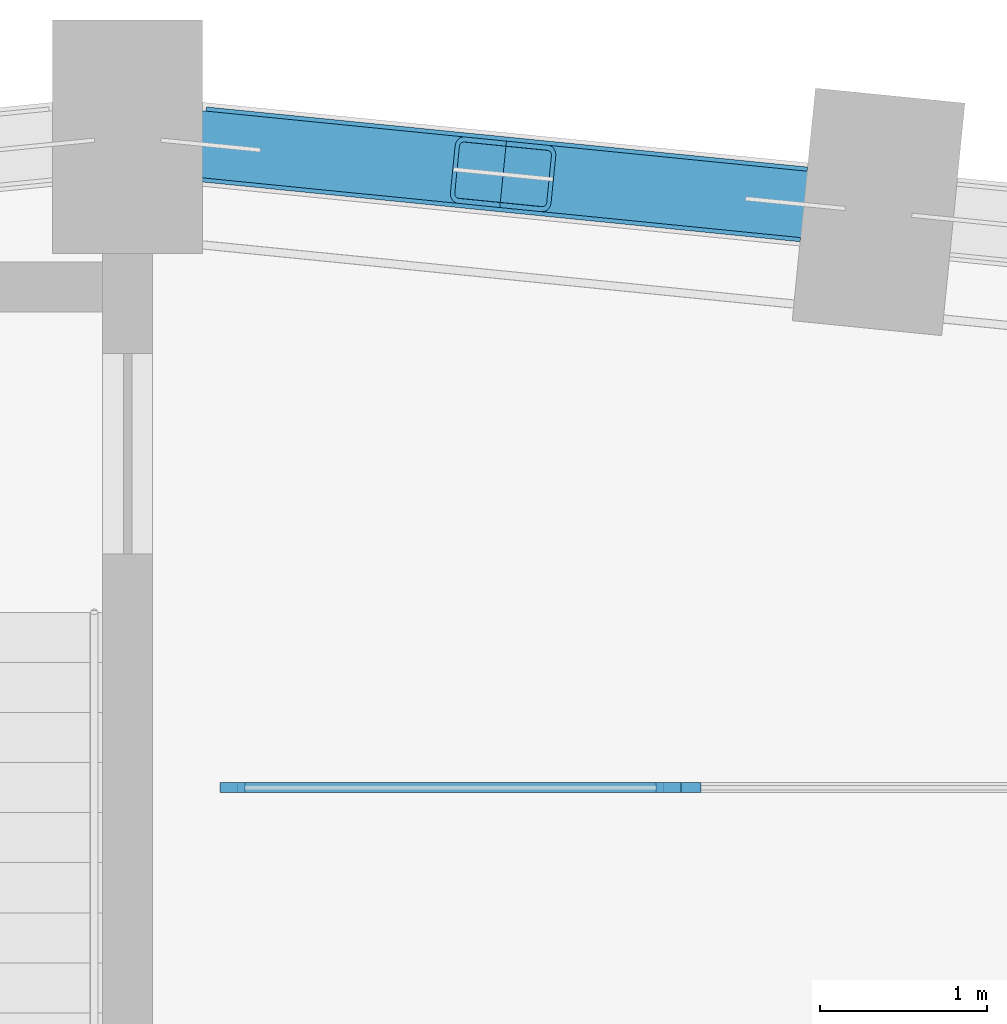
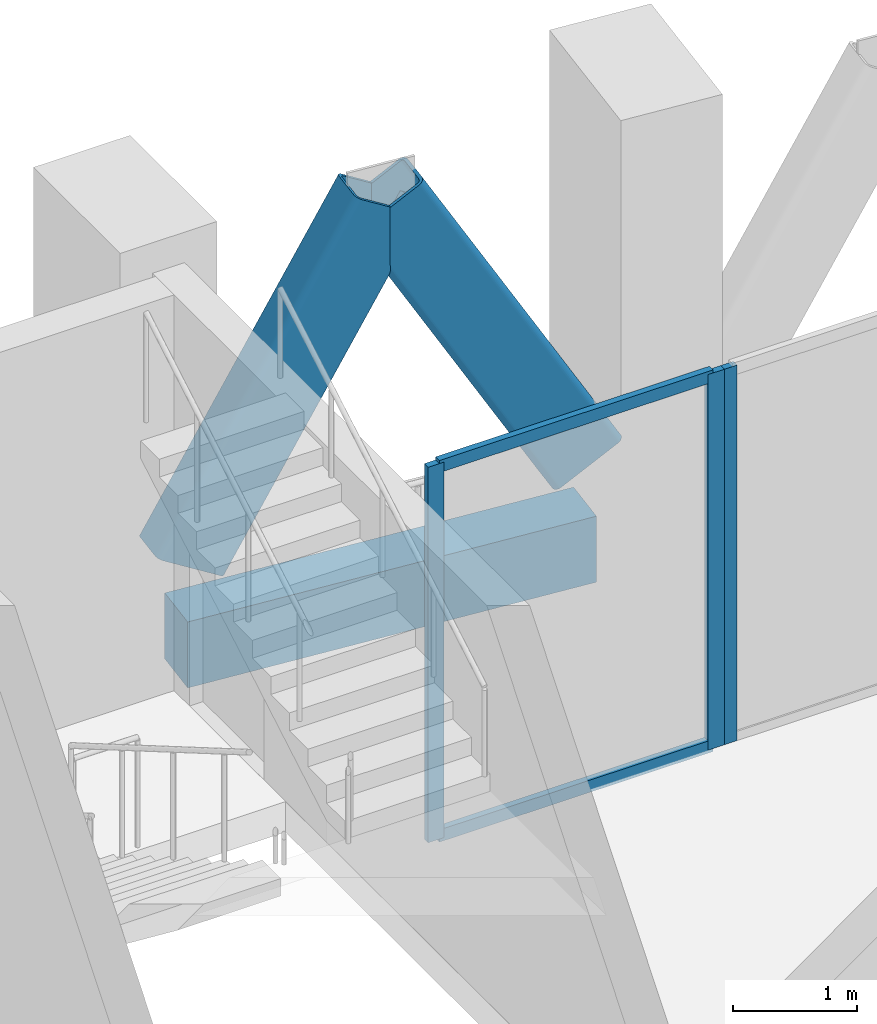
# One storey, part 6 of 25: 7 members, 1 beam, 2 elements without a shape of their own.
"""IFC4 building model written with IfcOpenShell, lengths in metres."""

import ifcopenshell
import ifcopenshell.guid

model = None  # the IFC model being written
_history = None  # IfcOwnerHistory: only IFC2X3 demands one
_inside = {}  # id of a spatial element -> (the spatial element, [elements in it])
_under = {}  # id of a project, library or spatial element -> (it, [spatial elements below it])
_declared = {}  # id of a project -> (the project, [libraries it declares])
_typed = {}  # id of a type object -> (the type object, [elements of that type])
_made_of = {}  # id of a material, layer set ... -> (it, [elements and type objects made of it])


def new_model(schema):
    """Start an empty IFC model of exactly this schema.

    Asked for "IFC4X3", IfcOpenShell would pick the latest addendum, in which some entities
    have other attributes; the version numbers below select the first issue.
    IFC2X3 requires an IfcOwnerHistory on every rooted entity: one is made here for all.
    """
    global model, _history
    if schema == "IFC4X3":
        model = ifcopenshell.file(schema_version=(4, 3, 0, 0))
    else:
        model = ifcopenshell.file(schema=schema)
    _inside.clear()
    _under.clear()
    _declared.clear()
    _typed.clear()
    _made_of.clear()
    _history = None
    if model.schema == "IFC2X3":
        org = make("IfcOrganization", Name="unknown")
        user = make(
            "IfcPersonAndOrganization",
            ThePerson=make("IfcPerson", FamilyName="unknown"),
            TheOrganization=org,
        )
        app = make(
            "IfcApplication",
            ApplicationDeveloper=org,
            Version="unknown",
            ApplicationFullName="unknown",
            ApplicationIdentifier="unknown",
        )
        _history = make(
            "IfcOwnerHistory",
            OwningUser=user,
            OwningApplication=app,
            ChangeAction="ADDED",
            CreationDate=0,
        )
    return model


def make(cls, **values):
    """One entity of the class cls with the attributes given. An attribute that is None is left unset."""
    return model.create_entity(
        cls, **{name: value for name, value in values.items() if value is not None}
    )


def rooted(cls, **values):
    """An entity with a GlobalId (a new one), such as an element, a storey or a relation."""
    return make(cls, GlobalId=ifcopenshell.guid.new(), OwnerHistory=_history, **values)


def si_unit(unit_type, name, prefix=None):
    """IfcSIUnit, for example si_unit("LENGTHUNIT", "METRE", prefix="MILLI")."""
    return make("IfcSIUnit", UnitType=unit_type, Prefix=prefix, Name=name)


def assignment(units):
    """IfcUnitAssignment: the units of a project."""
    return None if units is None else make("IfcUnitAssignment", Units=units)


def point(xyz):
    """IfcCartesianPoint."""
    return None if xyz is None else make("IfcCartesianPoint", Coordinates=xyz)


def direction(xyz):
    """IfcDirection."""
    return None if xyz is None else make("IfcDirection", DirectionRatios=xyz)


def frame(location, z_axis=None, x_axis=None):
    """IfcAxis2Placement3D, a coordinate frame: its origin and axes. An axis left out is left unset."""
    return make(
        "IfcAxis2Placement3D",
        Location=point(location),
        Axis=direction(z_axis),
        RefDirection=direction(x_axis),
    )


def frame_2d(location, x_axis=None):
    """IfcAxis2Placement2D, a coordinate frame in the plane: its origin and x axis."""
    return make(
        "IfcAxis2Placement2D", Location=point(location), RefDirection=direction(x_axis)
    )


def origin():
    """The frame at (0, 0, 0) with its axes left unset."""
    return frame((0.0, 0.0, 0.0))


def origin_2d():
    """The frame at (0, 0) in the plane with its x axis left unset."""
    return frame_2d((0.0, 0.0))


def place(relative_to, where):
    """IfcLocalPlacement: puts the frame where relative to a parent placement (None: the world)."""
    return make(
        "IfcLocalPlacement", PlacementRelTo=relative_to, RelativePlacement=where
    )


def context(
    kind, dimensions, precision=None, world=None, true_north=None, identifier=None
):
    """IfcGeometricRepresentationContext, for example the 3D "Model" context."""
    return make(
        "IfcGeometricRepresentationContext",
        ContextIdentifier=identifier,
        ContextType=kind,
        CoordinateSpaceDimension=dimensions,
        Precision=precision,
        WorldCoordinateSystem=world,
        TrueNorth=true_north,
    )


def subcontext(parent, identifier, kind, view, scale=None):
    """IfcGeometricRepresentationSubContext, for example "Body" below "Model"."""
    return make(
        "IfcGeometricRepresentationSubContext",
        ContextIdentifier=identifier,
        ContextType=kind,
        ParentContext=parent,
        TargetScale=scale,
        TargetView=view,
    )


def project(units=None, contexts=None):
    """IfcProject with its units and contexts."""
    return rooted(
        "IfcProject",
        Name="project",
        RepresentationContexts=contexts,
        UnitsInContext=assignment(units),
    )


def spatial(cls, under=None, at=None, **own):
    """A site, building, storey or space (cls), placed at a placement, below another one or the project."""
    s = rooted(cls, ObjectPlacement=at, **own)
    if under is not None:
        _under.setdefault(under.id(), (under, []))[1].append(s)
    return s


def profile(cls, at=None, kind="AREA", **sizes):
    """A parametric profile (cls). Its sizes go by their IFC names, for example OverallWidth=200.0."""
    return make(cls, ProfileType=kind, Position=at, **sizes)


def rectangle(**sizes):
    """IfcRectangleProfileDef."""
    return profile("IfcRectangleProfileDef", **sizes)


def hollow_rectangle(**sizes):
    """IfcRectangleHollowProfileDef."""
    return profile("IfcRectangleHollowProfileDef", **sizes)


def extrude(swept, where, along, depth):
    """IfcExtrudedAreaSolid: the profile swept, set in the frame where, extruded along a direction by depth."""
    return make(
        "IfcExtrudedAreaSolid",
        SweptArea=swept,
        Position=where,
        ExtrudedDirection=direction(along),
        Depth=depth,
    )


def shape(context_of_items, identifier, shape_type, items):
    """IfcShapeRepresentation: the items that make up one representation, for example the "Body"."""
    return make(
        "IfcShapeRepresentation",
        ContextOfItems=context_of_items,
        RepresentationIdentifier=identifier,
        RepresentationType=shape_type,
        Items=items,
    )


def material(Name=None, Category=None):
    """IfcMaterial."""
    return make("IfcMaterial", Name=Name, Category=Category)


def material_profile(
    of_material, cross_section, Name=None, Category=None, Priority=None
):
    """IfcMaterialProfile: a cross section and its material."""
    return make(
        "IfcMaterialProfile",
        Name=Name,
        Material=of_material,
        Profile=cross_section,
        Priority=Priority,
        Category=Category,
    )


def profile_set(profiles, Name=None, composite=None):
    """IfcMaterialProfileSet."""
    return make(
        "IfcMaterialProfileSet",
        Name=Name,
        MaterialProfiles=profiles,
        CompositeProfile=composite,
    )


def made_of(thing, what):
    """Note that an element or type object is made of a material, layer set ...; save() writes the relation."""
    if what is not None:
        _made_of.setdefault(what.id(), (what, []))[1].append(thing)
    return thing


def type_object(cls, material=None, **own):
    """A type object (cls), such as IfcWallType, which elements share."""
    return made_of(rooted(cls, **own), material)


def element(
    cls,
    number,
    at=None,
    inside=None,
    cuts=None,
    type_object=None,
    material=None,
    context=None,
    identifier="Body",
    shape_type=None,
    held_by="IfcProductDefinitionShape",
    body=None,
    shapes=None,
    **own,
):
    """One element of the class cls, such as IfcWall. Its Tag is "e" and its number.

    at: its placement. inside: the storey or other place that contains it. cuts: it is an
    opening in that element (IfcRelVoidsElement). A single representation is given by context,
    identifier, shape_type and body (its items); several are given by shapes. held_by: the class
    of the entity that holds the representations. save() writes the other relations.
    """
    e = rooted(cls, Tag="e%d" % number, ObjectPlacement=at, **own)
    if body is not None:
        shapes = [shape(context, identifier, shape_type, body)]
    if shapes is not None:
        e.Representation = make(held_by, Representations=shapes)
    if inside is not None:
        _inside.setdefault(inside.id(), (inside, []))[1].append(e)
    if cuts is not None:
        rooted(
            "IfcRelVoidsElement", RelatingBuildingElement=cuts, RelatedOpeningElement=e
        )
    if type_object is not None:
        _typed.setdefault(type_object.id(), (type_object, []))[1].append(e)
    return made_of(e, material)


def aggregate(whole, parts):
    """IfcRelAggregates: a whole, such as a stair, and the parts it consists of."""
    return rooted("IfcRelAggregates", RelatingObject=whole, RelatedObjects=parts)


def save(model, path):
    """Write the relations noted so far, then the file.

    IfcRelAggregates (storeys below a building ...), IfcRelContainedInSpatialStructure (elements
    in a storey), IfcRelDefinesByType, IfcRelAssociatesMaterial and IfcRelDeclares: one each for
    every whole, place, type object, material and project.
    """
    for whole, parts in _under.values():
        aggregate(whole, parts)
    for where, things in _inside.values():
        rooted(
            "IfcRelContainedInSpatialStructure",
            RelatedElements=things,
            RelatingStructure=where,
        )
    for kind, things in _typed.values():
        rooted("IfcRelDefinesByType", RelatedObjects=things, RelatingType=kind)
    for what, things in _made_of.values():
        rooted("IfcRelAssociatesMaterial", RelatedObjects=things, RelatingMaterial=what)
    for by, libraries in _declared.values():
        rooted("IfcRelDeclares", RelatingContext=by, RelatedDefinitions=libraries)
    model.write(path)


model = new_model("IFC4")

# Units and contexts
model_context = context("Model", 3, precision=1e-05, world=origin(), true_north=direction((0.0, 1.0)))
body_context = subcontext(model_context, "Body", "Model", "MODEL_VIEW")
ifc_project = project(units=[si_unit("LENGTHUNIT", "METRE"), si_unit("AREAUNIT", "SQUARE_METRE"), si_unit("VOLUMEUNIT", "CUBIC_METRE"), si_unit("PLANEANGLEUNIT", "RADIAN"), si_unit("MASSUNIT", "GRAM", prefix="KILO")], contexts=[model_context])

# Site, building, storey
site_placement = place(None, origin())
site = spatial("IfcSite", under=ifc_project, at=site_placement, CompositionType="ELEMENT")
building_placement = place(site_placement, origin())
building = spatial("IfcBuilding", under=site, at=building_placement, Name="Brondeck Convention Tower", CompositionType="ELEMENT")
storey_placement = place(building_placement, frame((0.0, 0.0, 84.300048828125)))
storey = spatial("IfcBuildingStorey", under=building, at=storey_placement, Name="L19", CompositionType="ELEMENT", Elevation=84.300048828125)

# Curtain wall, member
ifc_material_1 = material(Name="Aluminium, bronze anodised", Category="aluminium")
curtain_wall_type = type_object("IfcCurtainWallType", Name="Band enclosure curtain wall", PredefinedType="NOTDEFINED", material=ifc_material_1)
curtain_wall_1_placement = place(storey_placement, origin())
curtain_wall_1 = element("IfcCurtainWall", 1, at=curtain_wall_1_placement, inside=storey, type_object=curtain_wall_type, Name="ENV-L19-001-CW50", PredefinedType="NOTDEFINED")
ifc_material_profile_1 = material_profile(ifc_material_1, rectangle(XDim=0.06005859375, YDim=0.14990234375, at=origin_2d()), Name="CW5 mullion")
ifc_profile_set_1 = profile_set([ifc_material_profile_1], Name="Aluminium, bronze anodised")
member_type_1 = type_object("IfcMemberType", Name="CW5 mullion", PredefinedType="MULLION", material=ifc_profile_set_1)
member_1_placement = place(storey_placement, frame((30.360107421875, 60.0, 0.0), z_axis=(0.0, 0.0, 1.0), x_axis=(0.0, 1.0, 0.0)))
member_1 = element("IfcMember", 2, at=member_1_placement, type_object=member_type_1, Name="CW5 mullion 1", PredefinedType="MULLION", context=body_context, shape_type="SweptSolid", body=[
    extrude(rectangle(XDim=0.06005859375, YDim=0.14990234375, at=origin_2d()), origin(), (0.0, 0.0, 1.0), 3.699951171875),
])
aggregate(curtain_wall_1, [member_1])

# Curtain wall, members
curtain_wall_2_placement = place(storey_placement, origin())
curtain_wall_2 = element("IfcCurtainWall", 3, at=curtain_wall_2_placement, inside=storey, type_object=curtain_wall_type, Name="ENV-L19-001-CW51", PredefinedType="NOTDEFINED")
member_2_placement = place(storey_placement, frame((27.6298828125, 60.0, 0.0), z_axis=(0.0, 0.0, 1.0), x_axis=(0.0, 1.0, 0.0)))
member_2 = element("IfcMember", 4, at=member_2_placement, type_object=member_type_1, Name="CW5 mullion 1", PredefinedType="MULLION", context=body_context, shape_type="SweptSolid", body=[
    extrude(rectangle(XDim=0.06005859375, YDim=0.14990234375, at=origin_2d()), origin(), (0.0, 0.0, 1.0), 3.699951171875),
])
member_3_placement = place(storey_placement, frame((30.239990234375, 60.0, 0.0), z_axis=(0.0, 0.0, 1.0), x_axis=(0.0, 1.0, 0.0)))
member_3 = element("IfcMember", 5, at=member_3_placement, type_object=member_type_1, Name="CW5 mullion 2", PredefinedType="MULLION", context=body_context, shape_type="SweptSolid", body=[
    extrude(rectangle(XDim=0.06005859375, YDim=0.14990234375, at=origin_2d()), origin(), (0.0, 0.0, 1.0), 3.699951171875),
])
ifc_material_profile_2 = material_profile(ifc_material_1, rectangle(XDim=0.06005859375, YDim=0.1201171875, at=origin_2d()), Name="CW5 transom")
ifc_profile_set_2 = profile_set([ifc_material_profile_2], Name="Aluminium, bronze anodised")
member_type_2 = type_object("IfcMemberType", Name="CW5 transom", PredefinedType="USERDEFINED", material=ifc_profile_set_2)
member_4_placement = place(storey_placement, frame((27.659912109375, 60.0, 0.030029296875), z_axis=(1.0, 0.0, 0.0), x_axis=(0.0, 1.0, 0.0)))
member_4 = element("IfcMember", 6, at=member_4_placement, type_object=member_type_2, Name="CW5 transom 1.1", ObjectType="TRANSOM", PredefinedType="USERDEFINED", context=body_context, shape_type="SweptSolid", body=[
    extrude(rectangle(XDim=0.06005859375, YDim=0.1201171875, at=origin_2d()), origin(), (0.0, 0.0, 1.0), 2.550048828125),
])
member_5_placement = place(storey_placement, frame((27.659912109375, 60.0, 3.669921875), z_axis=(1.0, 0.0, 0.0), x_axis=(0.0, 1.0, 0.0)))
member_5 = element("IfcMember", 7, at=member_5_placement, type_object=member_type_2, Name="CW5 transom 1.2", ObjectType="TRANSOM", PredefinedType="USERDEFINED", context=body_context, shape_type="SweptSolid", body=[
    extrude(rectangle(XDim=0.06005859375, YDim=0.1201171875, at=origin_2d()), origin(), (0.0, 0.0, 1.0), 2.550048828125),
])
aggregate(curtain_wall_2, [member_2, member_3, member_4, member_5])

# Members
ifc_material_2 = material(Name="Steel S460", Category="steel")
ifc_material_profile_3 = material_profile(ifc_material_2, hollow_rectangle(XDim=0.39990234375, YDim=0.699951171875, WallThickness=0.030029296875, InnerFilletRadius=0.030029296875, OuterFilletRadius=0.06005859375, at=origin_2d()), Name="RHS 700x400x30")
ifc_profile_set_3 = profile_set([ifc_material_profile_3], Name="Steel S460")
member_type_3 = type_object("IfcMemberType", Name="Chevron brace RHS 700x400x30", PredefinedType="BRACE", material=ifc_profile_set_3)
for number, where, z_axis, x_axis, name in (
    (8, (31.002197265625, 63.499755859375, 0.5), (-0.497515949904, 0.049772391254, 0.866025743647), (-0.099544899705, -0.995033071281, 0.0), "Belt truss BT-19-39 diagonal"),
    (9, (27.497802734375, 63.85009765625, 0.5), (0.49751766528, -0.049703241745, 0.866028729601), (0.099407628771, 0.995046794549, 0.0), "Belt truss BT-19-39 diagonal"),
):
    element("IfcMember", number, at=place(storey_placement, frame(where, z_axis=z_axis, x_axis=x_axis)), inside=storey, type_object=member_type_3, Name=name, PredefinedType="BRACE", context=body_context, shape_type="SweptSolid", body=[
        extrude(hollow_rectangle(XDim=0.39990234375, YDim=0.699951171875, WallThickness=0.030029296875, InnerFilletRadius=0.030029296875, OuterFilletRadius=0.06005859375, at=origin_2d()), origin(), (0.0, 0.0, 1.0), 3.52197265625),
    ])

# Beam
ifc_material_3 = material(Name="Concrete C80/95", Category="concrete")
ifc_material_profile_4 = material_profile(ifc_material_3, rectangle(XDim=0.449951171875, YDim=0.64990234375, at=origin_2d()), Name="Precast spandrel 450x650 Concrete C80/95")
ifc_profile_set_4 = profile_set([ifc_material_profile_4], Name="Concrete C80/95")
beam_type = type_object("IfcBeamType", Name="Precast spandrel 450x650 Concrete C80/95", PredefinedType="SPANDREL", material=ifc_profile_set_4)
beam_placement = place(storey_placement, frame((31.05224609375, 63.494873046875, -0.324951171875), z_axis=(-0.995040528141, 0.099470334057, 0.0), x_axis=(-0.099470334057, -0.995040528141, 0.0)))
element("IfcBeam", 10, at=beam_placement, inside=storey, type_object=beam_type, Name="STR-SP-L19-039", PredefinedType="SPANDREL", context=body_context, shape_type="SweptSolid", body=[
    extrude(rectangle(XDim=0.449951171875, YDim=0.64990234375, at=origin_2d()), origin(), (0.0, 0.0, 1.0), 3.620361328125),
])

save(model, "model.ifc")
